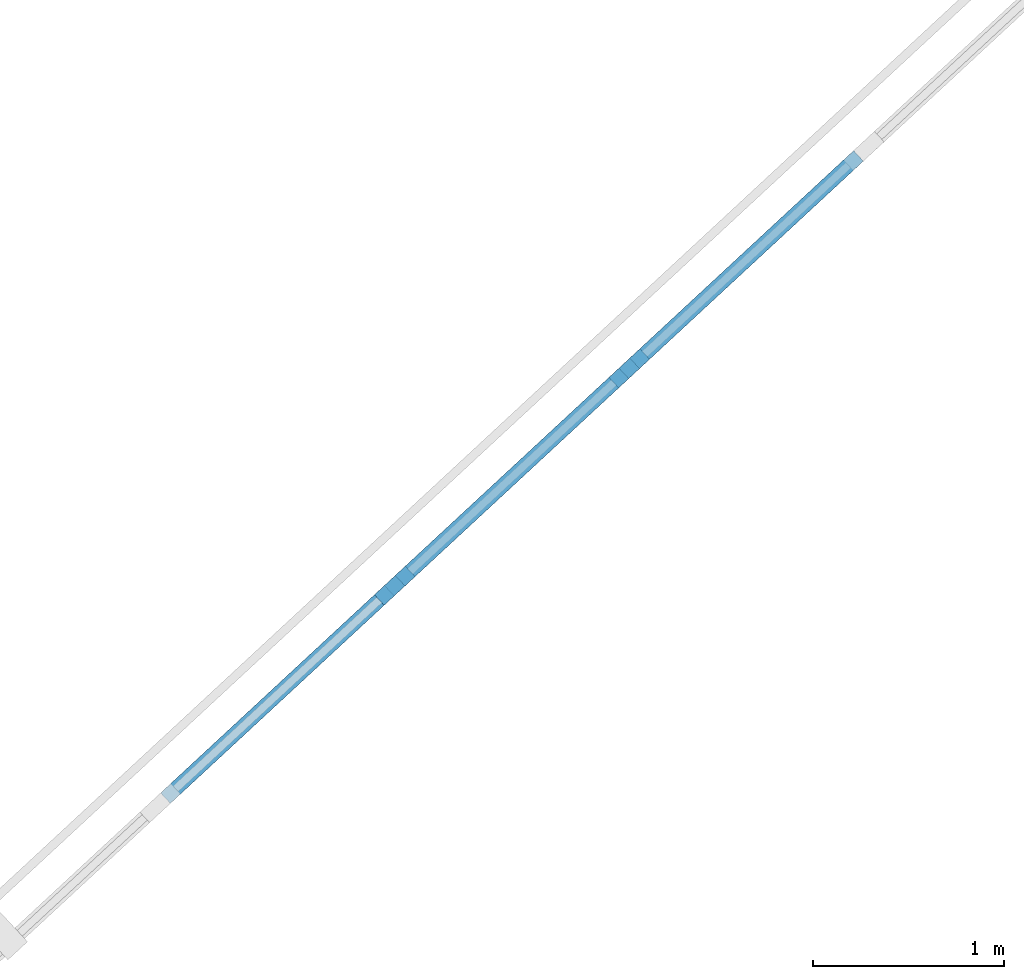
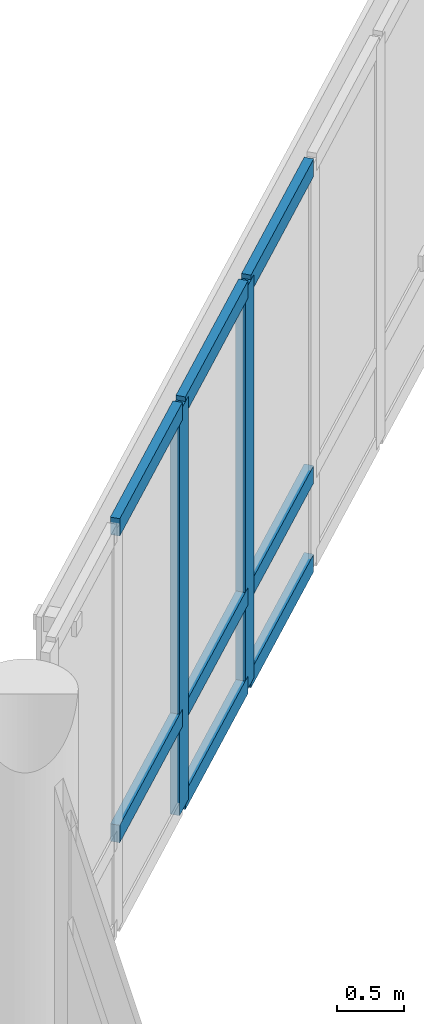
# One storey, part 16 of 49: 10 members, 1 element without a shape of its own.
"""IFC4 building model written with IfcOpenShell, lengths in metres."""

from ifc_helpers import new_model, si_unit, direction, frame, origin, origin_2d, place, context, subcontext, project, spatial, rectangle, extrude, material, material_profile, profile_set, type_object, element, aggregate, save


model = new_model("IFC4")

# Units and contexts
model_context = context("Model", 3, precision=1e-05, world=origin(), true_north=direction((0.0, 1.0)))
body_context = subcontext(model_context, "Body", "Model", "MODEL_VIEW")
ifc_project = project(units=[si_unit("LENGTHUNIT", "METRE"), si_unit("AREAUNIT", "SQUARE_METRE"), si_unit("VOLUMEUNIT", "CUBIC_METRE"), si_unit("PLANEANGLEUNIT", "RADIAN"), si_unit("MASSUNIT", "GRAM", prefix="KILO")], contexts=[model_context])

# Site, building, storey
site_placement = place(None, origin())
site = spatial("IfcSite", under=ifc_project, at=site_placement, CompositionType="ELEMENT")
building_placement = place(site_placement, origin())
building = spatial("IfcBuilding", under=site, at=building_placement, Name="Qandaris Square Conservatory and Botanical Centre", CompositionType="ELEMENT")
storey_placement = place(building_placement, frame((0.0, 0.0, 10.199951171875)))
storey = spatial("IfcBuildingStorey", under=building, at=storey_placement, Name="L02", CompositionType="ELEMENT", Elevation=10.199951171875)

# Curtain wall, members
ifc_material = material(Name="Anodised Aluminium", Category="aluminium")
curtain_wall_type = type_object("IfcCurtainWallType", Name="Unitised Curtain Wall CW-2-1002x370", PredefinedType="USERDEFINED", material=ifc_material)
curtain_wall_placement = place(storey_placement, origin())
curtain_wall = element("IfcCurtainWall", 1, at=curtain_wall_placement, inside=storey, type_object=curtain_wall_type, Name="Curtain Wall CW-CON-L02-6-1", ObjectType="GLAZED CURTAIN WALL", PredefinedType="USERDEFINED")
ifc_material_profile_1 = material_profile(ifc_material, rectangle(XDim=0.074951171875, YDim=0.219970703125, at=origin_2d()), Name="ALU-MUL 75x220")
ifc_profile_set_1 = profile_set([ifc_material_profile_1], Name="Anodised Aluminium")
member_type_1 = type_object("IfcMemberType", Name="Conservatory Heavy Mullion 75x220", PredefinedType="MULLION", material=ifc_profile_set_1)
member_1_placement = place(storey_placement, frame((20.300048828125, 111.60009765625, 0.0), z_axis=(0.0, 0.0, 1.0), x_axis=(0.679761784592, -0.733432966404, 0.0)))
member_1 = element("IfcMember", 2, at=member_1_placement, type_object=member_type_1, Name="CW-2-1002x370 mullion 4", PredefinedType="MULLION", context=body_context, shape_type="SweptSolid", body=[
    extrude(rectangle(XDim=0.074951171875, YDim=0.219970703125, at=origin_2d()), origin(), (0.0, 0.0, 1.0), 3.699951171875),
])
member_2_placement = place(storey_placement, frame((19.0751953125, 110.46484375, 0.0), z_axis=(0.0, 0.0, 1.0), x_axis=(0.679761784592, -0.733432966404, 0.0)))
member_2 = element("IfcMember", 3, at=member_2_placement, type_object=member_type_1, Name="CW-2-1002x370 mullion 5", PredefinedType="MULLION", context=body_context, shape_type="SweptSolid", body=[
    extrude(rectangle(XDim=0.074951171875, YDim=0.219970703125, at=origin_2d()), origin(), (0.0, 0.0, 1.0), 3.699951171875),
])
ifc_material_profile_2 = material_profile(ifc_material, rectangle(XDim=0.074951171875, YDim=0.159912109375, at=origin_2d()), Name="ALU-TRN 75x160")
ifc_profile_set_2 = profile_set([ifc_material_profile_2], Name="Anodised Aluminium")
member_type_2 = type_object("IfcMemberType", Name="Conservatory Heavy Transom 75x160", PredefinedType="USERDEFINED", material=ifc_profile_set_2)
member_3_placement = place(storey_placement, frame((21.497314453125, 112.709716796875, 0.03759765625), z_axis=(-0.733458213943, -0.679734542597, 0.0), x_axis=(0.679734542597, -0.733458213943, 0.0)))
member_3 = element("IfcMember", 4, at=member_3_placement, type_object=member_type_2, Name="CW-2-1002x370 transom 3.1", ObjectType="TRANSOM", PredefinedType="USERDEFINED", context=body_context, shape_type="SweptSolid", body=[
    extrude(rectangle(XDim=0.074951171875, YDim=0.159912109375, at=origin_2d()), origin(), (0.0, 0.0, 1.0), 1.594970703125),
])
member_4_placement = place(storey_placement, frame((21.497314453125, 112.709716796875, 0.85009765625), z_axis=(-0.733458213943, -0.679734542597, 0.0), x_axis=(0.679734542597, -0.733458213943, 0.0)))
member_4 = element("IfcMember", 5, at=member_4_placement, type_object=member_type_2, Name="CW-2-1002x370 transom 3.2", ObjectType="TRANSOM", PredefinedType="USERDEFINED", context=body_context, shape_type="SweptSolid", body=[
    extrude(rectangle(XDim=0.074951171875, YDim=0.159912109375, at=origin_2d()), origin(), (0.0, 0.0, 1.0), 1.594970703125),
])
member_5_placement = place(storey_placement, frame((21.497314453125, 112.709716796875, 3.66259765625), z_axis=(-0.733458213943, -0.679734542597, 0.0), x_axis=(0.679734542597, -0.733458213943, 0.0)))
member_5 = element("IfcMember", 6, at=member_5_placement, type_object=member_type_2, Name="CW-2-1002x370 transom 3.3", ObjectType="TRANSOM", PredefinedType="USERDEFINED", context=body_context, shape_type="SweptSolid", body=[
    extrude(rectangle(XDim=0.074951171875, YDim=0.159912109375, at=origin_2d()), origin(), (0.0, 0.0, 1.0), 1.594970703125),
])
member_6_placement = place(storey_placement, frame((20.2724609375, 111.574462890625, 0.03759765625), z_axis=(-0.733458213943, -0.679734542597, 0.0), x_axis=(0.679734542597, -0.733458213943, 0.0)))
member_6 = element("IfcMember", 7, at=member_6_placement, type_object=member_type_2, Name="CW-2-1002x370 transom 4.1", ObjectType="TRANSOM", PredefinedType="USERDEFINED", context=body_context, shape_type="SweptSolid", body=[
    extrude(rectangle(XDim=0.074951171875, YDim=0.159912109375, at=origin_2d()), origin(), (0.0, 0.0, 1.0), 1.594970703125),
])
member_7_placement = place(storey_placement, frame((20.2724609375, 111.574462890625, 0.85009765625), z_axis=(-0.733458213943, -0.679734542597, 0.0), x_axis=(0.679734542597, -0.733458213943, 0.0)))
member_7 = element("IfcMember", 8, at=member_7_placement, type_object=member_type_2, Name="CW-2-1002x370 transom 4.2", ObjectType="TRANSOM", PredefinedType="USERDEFINED", context=body_context, shape_type="SweptSolid", body=[
    extrude(rectangle(XDim=0.074951171875, YDim=0.159912109375, at=origin_2d()), origin(), (0.0, 0.0, 1.0), 1.594970703125),
])
member_8_placement = place(storey_placement, frame((20.2724609375, 111.574462890625, 3.66259765625), z_axis=(-0.733458213943, -0.679734542597, 0.0), x_axis=(0.679734542597, -0.733458213943, 0.0)))
member_8 = element("IfcMember", 9, at=member_8_placement, type_object=member_type_2, Name="CW-2-1002x370 transom 4.3", ObjectType="TRANSOM", PredefinedType="USERDEFINED", context=body_context, shape_type="SweptSolid", body=[
    extrude(rectangle(XDim=0.074951171875, YDim=0.159912109375, at=origin_2d()), origin(), (0.0, 0.0, 1.0), 1.594970703125),
])
member_9_placement = place(storey_placement, frame((19.047607421875, 110.439208984375, 0.85009765625), z_axis=(-0.733458213943, -0.679734542597, 0.0), x_axis=(0.679734542597, -0.733458213943, 0.0)))
member_9 = element("IfcMember", 10, at=member_9_placement, type_object=member_type_2, Name="CW-2-1002x370 transom 5.2", ObjectType="TRANSOM", PredefinedType="USERDEFINED", context=body_context, shape_type="SweptSolid", body=[
    extrude(rectangle(XDim=0.074951171875, YDim=0.159912109375, at=origin_2d()), origin(), (0.0, 0.0, 1.0), 1.594970703125),
])
member_10_placement = place(storey_placement, frame((19.047607421875, 110.439208984375, 3.66259765625), z_axis=(-0.733458213943, -0.679734542597, 0.0), x_axis=(0.679734542597, -0.733458213943, 0.0)))
member_10 = element("IfcMember", 11, at=member_10_placement, type_object=member_type_2, Name="CW-2-1002x370 transom 5.3", ObjectType="TRANSOM", PredefinedType="USERDEFINED", context=body_context, shape_type="SweptSolid", body=[
    extrude(rectangle(XDim=0.074951171875, YDim=0.159912109375, at=origin_2d()), origin(), (0.0, 0.0, 1.0), 1.594970703125),
])
aggregate(curtain_wall, [member_1, member_2, member_3, member_4, member_5, member_6, member_7, member_8, member_9, member_10])

save(model, "model.ifc")
